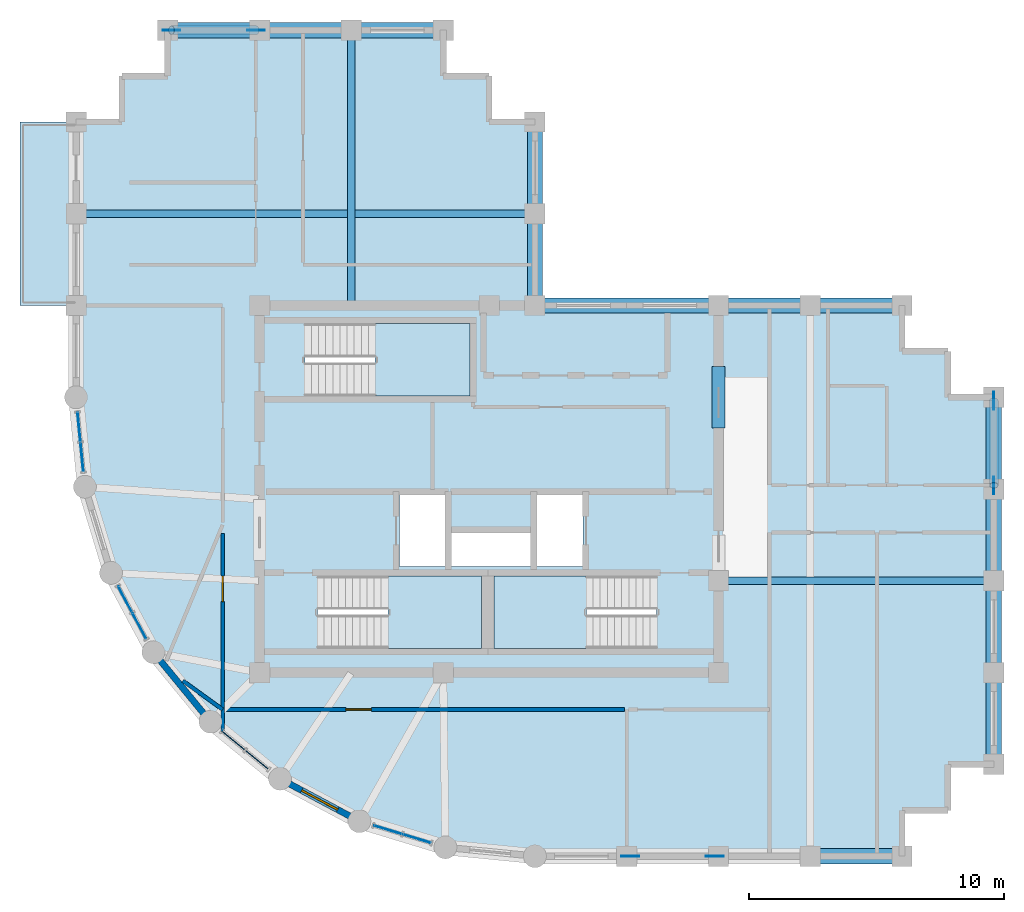
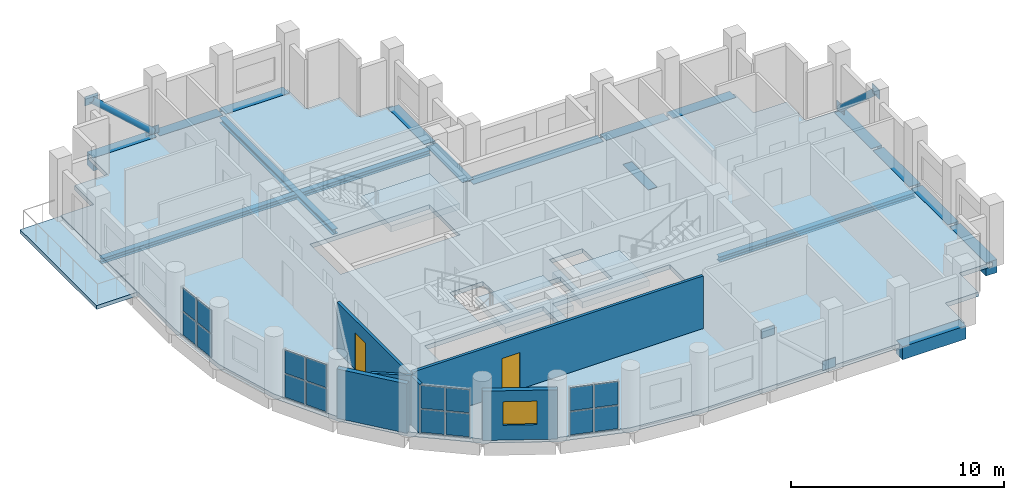
# One storey, part 7 of 11: 22 plates, 17 beams, 5 slabs, 5 walls, 2 doors, 2 members, 1 window, 3 openings, 7 elements without a shape of their own.
"""IFC4 building model written with IfcOpenShell, lengths in metres."""

from ifc_helpers import new_model, si_unit, direction, frame, frame_2d, origin, origin_2d, place, context, subcontext, project, spatial, polyline, rectangle, hollow_circle, i_section, outline, extrude, material, layer, layer_set, material_profile, profile_set, type_object, element, fill, aggregate, save


model = new_model("IFC4")

# Units and contexts
model_context = context("Model", 3, precision=1e-05, world=origin(), true_north=direction((0.0, 1.0)))
body_context = subcontext(model_context, "Body", "Model", "MODEL_VIEW")
ifc_project = project(units=[si_unit("LENGTHUNIT", "METRE"), si_unit("AREAUNIT", "SQUARE_METRE"), si_unit("VOLUMEUNIT", "CUBIC_METRE"), si_unit("PLANEANGLEUNIT", "RADIAN"), si_unit("MASSUNIT", "GRAM", prefix="KILO")], contexts=[model_context])

# Site, building, storey
site_placement = place(None, origin())
site = spatial("IfcSite", under=ifc_project, at=site_placement, CompositionType="ELEMENT")
building_placement = place(site_placement, origin())
building = spatial("IfcBuilding", under=site, at=building_placement, Name="Solnavia Interchange Tower", CompositionType="ELEMENT")
storey_placement = place(building_placement, frame((0.0, 0.0, 263.0)))
storey = spatial("IfcBuildingStorey", under=building, at=storey_placement, Name="L66", CompositionType="ELEMENT", Elevation=263.0)

# Beams
ifc_material_1 = material(Name="Concrete C50/60", Category="concrete")
ifc_material_profile_1 = material_profile(ifc_material_1, rectangle(XDim=0.5, YDim=0.800048828125, at=origin_2d()), Name="RC 500x800")
ifc_profile_set_1 = profile_set([ifc_material_profile_1], Name="Concrete C50/60")
beam_type_1 = type_object("IfcBeamType", Name="Beam-Coupling-RC500x800", PredefinedType="LINTEL", material=ifc_profile_set_1)
beam_1_placement = place(storey_placement, frame((32.39990234375, 20.39990234375, -0.39990234375), z_axis=(0.0, 1.0, 0.0), x_axis=(-1.0, 0.0, 0.0)))
element("IfcBeam", 1, at=beam_1_placement, inside=storey, type_object=beam_type_1, Name="CPB-L66-E2 Core coupling lintel beam", PredefinedType="LINTEL", context=body_context, shape_type="SweptSolid", body=[
    extrude(rectangle(XDim=0.5, YDim=0.800048828125, at=origin_2d()), origin(), (0.0, 0.0, 1.0), 2.400146484375),
])
ifc_material_2 = material(Name="Steel S460", Category="steel")
ifc_material_profile_2 = material_profile(ifc_material_2, i_section(OverallWidth=0.300048828125, OverallDepth=0.300048828125, WebThickness=0.010986328125, FlangeThickness=0.01904296875, FilletRadius=0.027099609375, at=origin_2d()), Name="HEB 300")
ifc_profile_set_2 = profile_set([ifc_material_profile_2], Name="Steel S460")
beam_type_2 = type_object("IfcBeamType", Name="Beam-Girder-HEB300", PredefinedType="BEAM", material=ifc_profile_set_2)
beam_2_placement = place(storey_placement, frame((32.47998046875, 14.39990234375, -0.39990234375), z_axis=(1.0, 0.0, 0.0), x_axis=(0.0, 1.0, 0.0)))
element("IfcBeam", 2, at=beam_2_placement, inside=storey, type_object=beam_type_2, Name="GRD-L66-ES01 East wing spine girder", PredefinedType="BEAM", context=body_context, shape_type="SweptSolid", body=[
    extrude(i_section(OverallWidth=0.300048828125, OverallDepth=0.300048828125, WebThickness=0.010986328125, FlangeThickness=0.01904296875, FilletRadius=0.027099609375, at=origin_2d()), origin(), (0.0, 0.0, 1.0), 10.64013671875),
])
beam_3_placement = place(storey_placement, frame((18.0, 25.280029296875, -0.39990234375), z_axis=(0.0, 1.0, 0.0), x_axis=(-1.0, 0.0, 0.0)))
element("IfcBeam", 3, at=beam_3_placement, inside=storey, type_object=beam_type_2, Name="GRD-L66-NS03 North wing spine girder", PredefinedType="BEAM", context=body_context, shape_type="SweptSolid", body=[
    extrude(i_section(OverallWidth=0.300048828125, OverallDepth=0.300048828125, WebThickness=0.010986328125, FlangeThickness=0.01904296875, FilletRadius=0.027099609375, at=origin_2d()), origin(), (0.0, 0.0, 1.0), 10.639892578125),
])
beam_4_placement = place(storey_placement, frame((7.280029296875, 28.800048828125, -0.39990234375), z_axis=(1.0, 0.0, 0.0), x_axis=(0.0, 1.0, 0.0)))
element("IfcBeam", 4, at=beam_4_placement, inside=storey, type_object=beam_type_2, Name="GRD-L66-NW04 North wing primary floor girder", PredefinedType="BEAM", context=body_context, shape_type="SweptSolid", body=[
    extrude(i_section(OverallWidth=0.300048828125, OverallDepth=0.300048828125, WebThickness=0.010986328125, FlangeThickness=0.01904296875, FilletRadius=0.027099609375, at=origin_2d()), origin(), (0.0, 0.0, 1.0), 17.840087890625),
])
ifc_material_profile_3 = material_profile(ifc_material_1, rectangle(XDim=0.60009765625, YDim=0.75, at=origin_2d()), Name="RC 600x750")
ifc_profile_set_3 = profile_set([ifc_material_profile_3], Name="Concrete C50/60")
beam_type_3 = type_object("IfcBeamType", Name="Beam-Spandrel-RC600x750", PredefinedType="SPANDREL", material=ifc_profile_set_3)
for number, where, z_axis, x_axis, name in (
    (5, (36.080078125, 3.60009765625, -0.375), (1.0, 0.0, 0.0), (0.0, 1.0, 0.0), "SPB-L66-12 Framed-tube perimeter spandrel beam"),
    (6, (43.199951171875, 7.280029296875, -0.375), (0.0, 1.0, 0.0), (-1.0, 0.0, 0.0), "SPB-L66-13 Framed-tube perimeter spandrel beam"),
):
    element("IfcBeam", number, at=place(storey_placement, frame(where, z_axis=z_axis, x_axis=x_axis)), inside=storey, type_object=beam_type_3, Name=name, PredefinedType="SPANDREL", context=body_context, shape_type="SweptSolid", body=[
        extrude(rectangle(XDim=0.60009765625, YDim=0.75, at=origin_2d()), origin(), (0.0, 0.0, 1.0), 3.43994140625),
    ])
beam_5_placement = place(storey_placement, frame((43.199951171875, 10.8798828125, -0.375), z_axis=(0.0, 1.0, 0.0), x_axis=(-1.0, 0.0, 0.0)))
element("IfcBeam", 7, at=beam_5_placement, inside=storey, type_object=beam_type_3, Name="SPB-L66-14 Framed-tube perimeter spandrel beam", PredefinedType="SPANDREL", context=body_context, shape_type="SweptSolid", body=[
    extrude(rectangle(XDim=0.60009765625, YDim=0.75, at=origin_2d()), origin(), (0.0, 0.0, 1.0), 3.440185546875),
])
for number, where, z_axis, x_axis, name in (
    (8, (43.199951171875, 14.47998046875, -0.375), (0.0, 1.0, 0.0), (-1.0, 0.0, 0.0), "SPB-L66-15 Framed-tube perimeter spandrel beam"),
    (9, (43.199951171875, 18.080078125, -0.375), (0.0, 1.0, 0.0), (-1.0, 0.0, 0.0), "SPB-L66-16 Framed-tube perimeter spandrel beam"),
    (10, (39.52001953125, 25.199951171875, -0.375), (-1.0, 0.0, 0.0), (0.0, -1.0, 0.0), "SPB-L66-17 Framed-tube perimeter spandrel beam"),
    (11, (35.919921875, 25.199951171875, -0.375), (-1.0, 0.0, 0.0), (0.0, -1.0, 0.0), "SPB-L66-18 Framed-tube perimeter spandrel beam"),
):
    element("IfcBeam", number, at=place(storey_placement, frame(where, z_axis=z_axis, x_axis=x_axis)), inside=storey, type_object=beam_type_3, Name=name, PredefinedType="SPANDREL", context=body_context, shape_type="SweptSolid", body=[
        extrude(rectangle(XDim=0.60009765625, YDim=0.75, at=origin_2d()), origin(), (0.0, 0.0, 1.0), 3.43994140625),
    ])
beam_6_placement = place(storey_placement, frame((32.320068359375, 25.199951171875, -0.375), z_axis=(-1.0, 0.0, 0.0), x_axis=(0.0, -1.0, 0.0)))
element("IfcBeam", 12, at=beam_6_placement, inside=storey, type_object=beam_type_3, Name="SPB-L66-19 Framed-tube perimeter spandrel beam", PredefinedType="SPANDREL", context=body_context, shape_type="SweptSolid", body=[
    extrude(rectangle(XDim=0.60009765625, YDim=0.75, at=origin_2d()), origin(), (0.0, 0.0, 1.0), 7.0400390625),
])
beam_7_placement = place(storey_placement, frame((25.199951171875, 25.280029296875, -0.375), z_axis=(0.0, 1.0, 0.0), x_axis=(-1.0, 0.0, 0.0)))
element("IfcBeam", 13, at=beam_7_placement, inside=storey, type_object=beam_type_3, Name="SPB-L66-20 Framed-tube perimeter spandrel beam", PredefinedType="SPANDREL", context=body_context, shape_type="SweptSolid", body=[
    extrude(rectangle(XDim=0.60009765625, YDim=0.75, at=origin_2d()), origin(), (0.0, 0.0, 1.0), 3.43994140625),
])
beam_8_placement = place(storey_placement, frame((25.199951171875, 28.8798828125, -0.375), z_axis=(0.0, 1.0, 0.0), x_axis=(-1.0, 0.0, 0.0)))
element("IfcBeam", 14, at=beam_8_placement, inside=storey, type_object=beam_type_3, Name="SPB-L66-21 Framed-tube perimeter spandrel beam", PredefinedType="SPANDREL", context=body_context, shape_type="SweptSolid", body=[
    extrude(rectangle(XDim=0.60009765625, YDim=0.75, at=origin_2d()), origin(), (0.0, 0.0, 1.0), 3.440185546875),
])
for number, where, z_axis, x_axis, name in (
    (15, (21.52001953125, 36.0, -0.375), (-1.0, 0.0, 0.0), (0.0, -1.0, 0.0), "SPB-L66-22 Framed-tube perimeter spandrel beam"),
    (16, (17.919921875, 36.0, -0.375), (-1.0, 0.0, 0.0), (0.0, -1.0, 0.0), "SPB-L66-23 Framed-tube perimeter spandrel beam"),
):
    element("IfcBeam", number, at=place(storey_placement, frame(where, z_axis=z_axis, x_axis=x_axis)), inside=storey, type_object=beam_type_3, Name=name, PredefinedType="SPANDREL", context=body_context, shape_type="SweptSolid", body=[
        extrude(rectangle(XDim=0.60009765625, YDim=0.75, at=origin_2d()), origin(), (0.0, 0.0, 1.0), 3.43994140625),
    ])
beam_9_placement = place(storey_placement, frame((14.320068359375, 36.0, -0.375), z_axis=(-1.0, 0.0, 0.0), x_axis=(0.0, -1.0, 0.0)))
element("IfcBeam", 17, at=beam_9_placement, inside=storey, type_object=beam_type_3, Name="SPB-L66-24 Framed-tube perimeter spandrel beam", PredefinedType="SPANDREL", context=body_context, shape_type="SweptSolid", body=[
    extrude(rectangle(XDim=0.60009765625, YDim=0.75, at=origin_2d()), origin(), (0.0, 0.0, 1.0), 3.440185546875),
])

# Members
ifc_material_profile_4 = material_profile(ifc_material_2, hollow_circle(Radius=0.177734375, WallThickness=0.01611328125, at=origin_2d()), Name="CHS 355.6x16")
ifc_profile_set_4 = profile_set([ifc_material_profile_4], Name="Steel S460")
member_type = type_object("IfcMemberType", Name="Brace-Perim-CHS355", PredefinedType="BRACE", material=ifc_profile_set_4)
for number, where, z_axis, x_axis, name in (
    (18, (43.199951171875, 21.4599609375, 0.179931640625), (0.0, -0.74307946371, 0.669203190827), (1.0, 0.0, 0.0), "BRC-L66-02 Perimeter tube diagonal brace"),
    (19, (14.260009765625, 36.0, 0.179931640625), (-0.74307946371, 0.0, 0.669203190827), (0.0, -1.0, 0.0), "BRC-L66-03 Perimeter tube diagonal brace"),
):
    element("IfcMember", number, at=place(storey_placement, frame(where, z_axis=z_axis, x_axis=x_axis)), inside=storey, type_object=member_type, Name=name, PredefinedType="BRACE", context=body_context, shape_type="SweptSolid", body=[
        extrude(hollow_circle(Radius=0.177734375, WallThickness=0.01611328125, at=origin_2d()), origin(), (0.0, 0.0, 1.0), 4.468017578125),
    ])

# Curtain wall, plates
ifc_material_3 = material(Name="Aluminium Alloy 6063-T6", Category="aluminium")
ifc_layer_1 = layer(ifc_material_3, 0.239990234375)
ifc_layer_set_1 = layer_set([ifc_layer_1], Name="Aluminium Alloy 6063-T6")
curtain_wall_type = type_object("IfcCurtainWallType", Name="CurtainWall-Drum-CTW2", PredefinedType="NOTDEFINED", material=ifc_layer_set_1)
curtain_wall_1_placement = place(storey_placement, origin())
curtain_wall_1 = element("IfcCurtainWall", 20, at=curtain_wall_1_placement, inside=storey, type_object=curtain_wall_type, Name="CTW-L66-D37 CTW-2 curtain wall", PredefinedType="NOTDEFINED")
ifc_material_4 = material(Name="Double-Glazed Low-E IGU Glass", Category="glass")
ifc_layer_2 = layer(ifc_material_4, 0.031982421875)
ifc_layer_set_2 = layer_set([ifc_layer_2], Name="Double-Glazed Low-E IGU Glass")
plate_type_1 = type_object("IfcPlateType", Name="CW-Panel-Solar-32", PredefinedType="CURTAIN_PANEL", material=ifc_layer_set_2)
plate_1_placement = place(storey_placement, frame((7.314697265625, 20.435791015625, 0.06494140625), z_axis=(0.0, 0.0, 1.0), x_axis=(0.098043088306, -0.995182170678, 0.0)))
plate_1 = element("IfcPlate", 21, at=plate_1_placement, type_object=plate_type_1, Name="CTW-2 panel 1.1", PredefinedType="CURTAIN_PANEL", context=body_context, shape_type="SweptSolid", body=[
    extrude(rectangle(XDim=1.114501953125, YDim=0.031982421875, at=origin_2d()), origin(), (0.0, 0.0, 1.0), 1.3173828125),
])
plate_2_placement = place(storey_placement, frame((7.314697265625, 20.435791015625, 1.447509765625), z_axis=(0.0, 0.0, 1.0), x_axis=(0.098043088306, -0.995182170678, 0.0)))
plate_2 = element("IfcPlate", 22, at=plate_2_placement, type_object=plate_type_1, Name="CTW-2 panel 1.2", PredefinedType="CURTAIN_PANEL", context=body_context, shape_type="SweptSolid", body=[
    extrude(rectangle(XDim=1.114501953125, YDim=0.031982421875, at=origin_2d()), origin(), (0.0, 0.0, 1.0), 1.3173828125),
])
plate_3_placement = place(storey_placement, frame((7.431396484375, 19.252197265625, 0.06494140625), z_axis=(0.0, 0.0, 1.0), x_axis=(0.098043088306, -0.995182170678, 0.0)))
plate_3 = element("IfcPlate", 23, at=plate_3_placement, type_object=plate_type_1, Name="CTW-2 panel 2.1", PredefinedType="CURTAIN_PANEL", context=body_context, shape_type="SweptSolid", body=[
    extrude(rectangle(XDim=1.114501953125, YDim=0.031982421875, at=origin_2d()), origin(), (0.0, 0.0, 1.0), 1.3173828125),
])
plate_4_placement = place(storey_placement, frame((7.431396484375, 19.252197265625, 1.447509765625), z_axis=(0.0, 0.0, 1.0), x_axis=(0.098043088306, -0.995182170678, 0.0)))
plate_4 = element("IfcPlate", 24, at=plate_4_placement, type_object=plate_type_1, Name="CTW-2 panel 2.2", PredefinedType="CURTAIN_PANEL", context=body_context, shape_type="SweptSolid", body=[
    extrude(rectangle(XDim=1.114501953125, YDim=0.031982421875, at=origin_2d()), origin(), (0.0, 0.0, 1.0), 1.3173828125),
])
aggregate(curtain_wall_1, [plate_1, plate_2, plate_3, plate_4])

curtain_wall_2_placement = place(storey_placement, origin())
curtain_wall_2 = element("IfcCurtainWall", 25, at=curtain_wall_2_placement, inside=storey, type_object=curtain_wall_type, Name="CTW-L66-D39 CTW-2 curtain wall", PredefinedType="NOTDEFINED")
plate_5_placement = place(storey_placement, frame((9.12158203125, 13.680419921875, 0.06494140625), z_axis=(0.0, 0.0, 1.0), x_axis=(0.471560876964, -0.881833509976, 0.0)))
plate_5 = element("IfcPlate", 26, at=plate_5_placement, type_object=plate_type_1, Name="CTW-2 panel 1.1", PredefinedType="CURTAIN_PANEL", context=body_context, shape_type="SweptSolid", body=[
    extrude(rectangle(XDim=1.114501953125, YDim=0.031982421875, at=origin_2d()), origin(), (0.0, 0.0, 1.0), 1.3173828125),
])
plate_6_placement = place(storey_placement, frame((9.12158203125, 13.680419921875, 1.447509765625), z_axis=(0.0, 0.0, 1.0), x_axis=(0.471560876964, -0.881833509976, 0.0)))
plate_6 = element("IfcPlate", 27, at=plate_6_placement, type_object=plate_type_1, Name="CTW-2 panel 1.2", PredefinedType="CURTAIN_PANEL", context=body_context, shape_type="SweptSolid", body=[
    extrude(rectangle(XDim=1.114501953125, YDim=0.031982421875, at=origin_2d()), origin(), (0.0, 0.0, 1.0), 1.3173828125),
])
plate_7_placement = place(storey_placement, frame((9.682373046875, 12.631591796875, 0.06494140625), z_axis=(0.0, 0.0, 1.0), x_axis=(0.471560876964, -0.881833509976, 0.0)))
plate_7 = element("IfcPlate", 28, at=plate_7_placement, type_object=plate_type_1, Name="CTW-2 panel 2.1", PredefinedType="CURTAIN_PANEL", context=body_context, shape_type="SweptSolid", body=[
    extrude(rectangle(XDim=1.114501953125, YDim=0.031982421875, at=origin_2d()), origin(), (0.0, 0.0, 1.0), 1.3173828125),
])
plate_8_placement = place(storey_placement, frame((9.682373046875, 12.631591796875, 1.447509765625), z_axis=(0.0, 0.0, 1.0), x_axis=(0.471560876964, -0.881833509976, 0.0)))
plate_8 = element("IfcPlate", 29, at=plate_8_placement, type_object=plate_type_1, Name="CTW-2 panel 2.2", PredefinedType="CURTAIN_PANEL", context=body_context, shape_type="SweptSolid", body=[
    extrude(rectangle(XDim=1.114501953125, YDim=0.031982421875, at=origin_2d()), origin(), (0.0, 0.0, 1.0), 1.3173828125),
])
aggregate(curtain_wall_2, [plate_5, plate_6, plate_7, plate_8])

curtain_wall_3_placement = place(storey_placement, origin())
curtain_wall_3 = element("IfcCurtainWall", 30, at=curtain_wall_3_placement, inside=storey, type_object=curtain_wall_type, Name="CTW-L66-D41 CTW-2 curtain wall", PredefinedType="NOTDEFINED")
plate_9_placement = place(storey_placement, frame((13.376220703125, 8.130126953125, 0.06494140625), z_axis=(0.0, 0.0, 1.0), x_axis=(0.773103093557, -0.634280384951, 0.0)))
plate_9 = element("IfcPlate", 31, at=plate_9_placement, type_object=plate_type_1, Name="CTW-2 panel 1.1", PredefinedType="CURTAIN_PANEL", context=body_context, shape_type="SweptSolid", body=[
    extrude(rectangle(XDim=1.1142578125, YDim=0.031982421875, at=origin_2d()), origin(), (0.0, 0.0, 1.0), 1.3173828125),
])
plate_10_placement = place(storey_placement, frame((13.376220703125, 8.130126953125, 1.447509765625), z_axis=(0.0, 0.0, 1.0), x_axis=(0.773103093557, -0.634280384951, 0.0)))
plate_10 = element("IfcPlate", 32, at=plate_10_placement, type_object=plate_type_1, Name="CTW-2 panel 1.2", PredefinedType="CURTAIN_PANEL", context=body_context, shape_type="SweptSolid", body=[
    extrude(rectangle(XDim=1.1142578125, YDim=0.031982421875, at=origin_2d()), origin(), (0.0, 0.0, 1.0), 1.3173828125),
])
plate_11_placement = place(storey_placement, frame((14.295654296875, 7.375732421875, 0.06494140625), z_axis=(0.0, 0.0, 1.0), x_axis=(0.773103093557, -0.634280384951, 0.0)))
plate_11 = element("IfcPlate", 33, at=plate_11_placement, type_object=plate_type_1, Name="CTW-2 panel 2.1", PredefinedType="CURTAIN_PANEL", context=body_context, shape_type="SweptSolid", body=[
    extrude(rectangle(XDim=1.1142578125, YDim=0.031982421875, at=origin_2d()), origin(), (0.0, 0.0, 1.0), 1.3173828125),
])
plate_12_placement = place(storey_placement, frame((14.295654296875, 7.375732421875, 1.447509765625), z_axis=(0.0, 0.0, 1.0), x_axis=(0.773103093557, -0.634280384951, 0.0)))
plate_12 = element("IfcPlate", 34, at=plate_12_placement, type_object=plate_type_1, Name="CTW-2 panel 2.2", PredefinedType="CURTAIN_PANEL", context=body_context, shape_type="SweptSolid", body=[
    extrude(rectangle(XDim=1.1142578125, YDim=0.031982421875, at=origin_2d()), origin(), (0.0, 0.0, 1.0), 1.3173828125),
])
aggregate(curtain_wall_3, [plate_9, plate_10, plate_11, plate_12])

curtain_wall_4_placement = place(storey_placement, origin())
curtain_wall_4 = element("IfcCurtainWall", 35, at=curtain_wall_4_placement, inside=storey, type_object=curtain_wall_type, Name="CTW-L66-D43 CTW-2 curtain wall", PredefinedType="NOTDEFINED")
plate_13_placement = place(storey_placement, frame((19.43115234375, 4.630615234375, 0.06494140625), z_axis=(0.0, 0.0, 1.0), x_axis=(0.956942072515, -0.290278951786, 0.0)))
plate_13 = element("IfcPlate", 36, at=plate_13_placement, type_object=plate_type_1, Name="CTW-2 panel 1.1", PredefinedType="CURTAIN_PANEL", context=body_context, shape_type="SweptSolid", body=[
    extrude(rectangle(XDim=1.114013671875, YDim=0.031982421875, at=origin_2d()), origin(), (0.0, 0.0, 1.0), 1.3173828125),
])
plate_14_placement = place(storey_placement, frame((19.43115234375, 4.630615234375, 1.447509765625), z_axis=(0.0, 0.0, 1.0), x_axis=(0.956942072515, -0.290278951786, 0.0)))
plate_14 = element("IfcPlate", 37, at=plate_14_placement, type_object=plate_type_1, Name="CTW-2 panel 1.2", PredefinedType="CURTAIN_PANEL", context=body_context, shape_type="SweptSolid", body=[
    extrude(rectangle(XDim=1.114013671875, YDim=0.031982421875, at=origin_2d()), origin(), (0.0, 0.0, 1.0), 1.3173828125),
])
plate_15_placement = place(storey_placement, frame((20.56884765625, 4.285400390625, 0.06494140625), z_axis=(0.0, 0.0, 1.0), x_axis=(0.956942072515, -0.290278951786, 0.0)))
plate_15 = element("IfcPlate", 38, at=plate_15_placement, type_object=plate_type_1, Name="CTW-2 panel 2.1", PredefinedType="CURTAIN_PANEL", context=body_context, shape_type="SweptSolid", body=[
    extrude(rectangle(XDim=1.114013671875, YDim=0.031982421875, at=origin_2d()), origin(), (0.0, 0.0, 1.0), 1.3173828125),
])
plate_16_placement = place(storey_placement, frame((20.56884765625, 4.285400390625, 1.447509765625), z_axis=(0.0, 0.0, 1.0), x_axis=(0.956942072515, -0.290278951786, 0.0)))
plate_16 = element("IfcPlate", 39, at=plate_16_placement, type_object=plate_type_1, Name="CTW-2 panel 2.2", PredefinedType="CURTAIN_PANEL", context=body_context, shape_type="SweptSolid", body=[
    extrude(rectangle(XDim=1.114013671875, YDim=0.031982421875, at=origin_2d()), origin(), (0.0, 0.0, 1.0), 1.3173828125),
])
aggregate(curtain_wall_4, [plate_13, plate_14, plate_15, plate_16])

# Plates
ifc_layer_3 = layer(ifc_material_2, 0.030029296875)
ifc_layer_set_3 = layer_set([ifc_layer_3], Name="Steel S460")
plate_type_2 = type_object("IfcPlateType", Name="Plate-Gusset-700x520x30", PredefinedType="USERDEFINED", material=ifc_layer_set_3)
for number, where, z_axis, x_axis, name in (
    (40, (32.260009765625, 3.60009765625, -0.080078125), (0.0, 0.0, 1.0), (-1.0, 0.0, 0.0), "PLT-L66-GP01 Perimeter brace gusset plate"),
    (41, (28.93994140625, 3.60009765625, 2.909912109375), (0.0, 0.0, 1.0), (-1.0, 0.0, 0.0), "PLT-L66-GP02 Perimeter brace gusset plate"),
    (42, (43.199951171875, 21.4599609375, -0.080078125), (0.0, 0.0, 1.0), (0.0, -1.0, 0.0), "PLT-L66-GP03 Perimeter brace gusset plate"),
    (43, (43.199951171875, 18.139892578125, 2.909912109375), (0.0, 0.0, 1.0), (0.0, -1.0, 0.0), "PLT-L66-GP04 Perimeter brace gusset plate"),
    (44, (14.260009765625, 36.0, -0.080078125), (0.0, 0.0, 1.0), (-1.0, 0.0, 0.0), "PLT-L66-GP05 Perimeter brace gusset plate"),
    (45, (10.93994140625, 36.0, 2.909912109375), (0.0, 0.0, 1.0), (-1.0, 0.0, 0.0), "PLT-L66-GP06 Perimeter brace gusset plate"),
):
    element("IfcPlate", number, at=place(storey_placement, frame(where, z_axis=z_axis, x_axis=x_axis)), inside=storey, type_object=plate_type_2, Name=name, ObjectType="GUSSET PLATE", PredefinedType="USERDEFINED", context=body_context, shape_type="SweptSolid", body=[
        extrude(rectangle(XDim=0.699951171875, YDim=0.030029296875, at=origin_2d()), origin(), (0.0, 0.0, 1.0), 0.52001953125),
    ])

# Stair, slab
ifc_material_5 = material(Name="Concrete C40/50", Category="concrete")
stair_type = type_object("IfcStairType", Name="Stair-Dogleg-RC", PredefinedType="HALF_TURN_STAIR", material=ifc_material_5)
stair_1_placement = place(storey_placement, origin())
stair_1 = element("IfcStair", 46, at=stair_1_placement, inside=storey, type_object=stair_type, Name="L66 Core exit stair 1", PredefinedType="HALF_TURN_STAIR")
ifc_layer_4 = layer(ifc_material_5, 0.35009765625)
ifc_layer_set_4 = layer_set([ifc_layer_4], Name="Concrete C40/50")
slab_type_1 = type_object("IfcSlabType", Name="Slab-StairLanding-350", PredefinedType="LANDING", material=ifc_layer_set_4)
slab_1_placement = place(storey_placement, frame((0.0, 0.0, 1.449951171875)))
slab_1 = element("IfcSlab", 47, at=slab_1_placement, type_object=slab_type_1, Name="ST-1 landing 1", PredefinedType="LANDING", context=body_context, shape_type="SweptSolid", body=[
    extrude(outline(polyline([(19.427978515625, 11.75), (23.10009765625, 11.75), (23.10009765625, 14.590087890625), (19.427978515625, 14.590087890625), (19.427978515625, 11.75)])), origin(), (0.0, 0.0, 1.0), 0.35009765625),
])
aggregate(stair_1, [slab_1])

stair_2_placement = place(storey_placement, origin())
stair_2 = element("IfcStair", 48, at=stair_2_placement, inside=storey, type_object=stair_type, Name="L66 Core exit stair 2", PredefinedType="HALF_TURN_STAIR")
slab_2_placement = place(storey_placement, frame((0.0, 0.0, 1.449951171875)))
slab_2 = element("IfcSlab", 49, at=slab_2_placement, type_object=slab_type_1, Name="ST-2 landing 1", PredefinedType="LANDING", context=body_context, shape_type="SweptSolid", body=[
    extrude(outline(polyline([(23.60009765625, 11.75), (27.221923828125, 11.75), (27.221923828125, 14.590087890625), (23.60009765625, 14.590087890625), (23.60009765625, 11.75)])), origin(), (0.0, 0.0, 1.0), 0.35009765625),
])
aggregate(stair_2, [slab_2])

stair_3_placement = place(storey_placement, origin())
stair_3 = element("IfcStair", 50, at=stair_3_placement, inside=storey, type_object=stair_type, Name="L66 Core exit stair 3", PredefinedType="HALF_TURN_STAIR")
slab_3_placement = place(storey_placement, frame((0.0, 0.0, 1.449951171875)))
slab_3 = element("IfcSlab", 51, at=slab_3_placement, type_object=slab_type_1, Name="ST-3 landing 1", PredefinedType="LANDING", context=body_context, shape_type="SweptSolid", body=[
    extrude(outline(polyline([(18.927978515625, 21.64990234375), (22.64990234375, 21.64990234375), (22.64990234375, 24.489990234375), (18.927978515625, 24.489990234375), (18.927978515625, 21.64990234375)])), origin(), (0.0, 0.0, 1.0), 0.35009765625),
])
aggregate(stair_3, [slab_3])

# Slabs
ifc_layer_5 = layer(ifc_material_5, 0.219970703125)
ifc_layer_set_5 = layer_set([ifc_layer_5], Name="Concrete C40/50")
slab_type_2 = type_object("IfcSlabType", Name="Slab-Terrace-220", PredefinedType="FLOOR", material=ifc_layer_set_5)
slab_4_placement = place(storey_placement, frame((0.0, 0.0, -0.260009765625)))
element("IfcSlab", 52, at=slab_4_placement, inside=storey, type_object=slab_type_2, Name="TER-L66-01 Outdoor spiral terrace slab", PredefinedType="FLOOR", context=body_context, shape_type="SweptSolid", body=[
    extrude(outline(polyline([(5.0, 25.199951171875), (7.199951171875, 25.199951171875), (7.199951171875, 32.39990234375), (5.0, 32.39990234375), (5.0, 25.199951171875)])), origin(), (0.0, 0.0, 1.0), 0.219970703125),
])
ifc_layer_6 = layer(ifc_material_5, 0.25)
ifc_layer_set_6 = layer_set([ifc_layer_6], Name="Concrete C40/50")
slab_type_3 = type_object("IfcSlabType", Name="Slab-Tower-250", PredefinedType="FLOOR", material=ifc_layer_set_6)
slab_5_placement = place(storey_placement, frame((0.0, 0.0, -0.25)))
element("IfcSlab", 53, at=slab_5_placement, inside=storey, type_object=slab_type_3, Name="SLB-L66-01 Structural floor slab", PredefinedType="FLOOR", context=body_context, shape_type="SweptSolid", body=[
    extrude(outline(polyline([(25.199951171875, 3.60009765625), (39.60009765625, 3.60009765625), (39.60009765625, 5.39990234375), (41.39990234375, 5.39990234375), (41.39990234375, 7.199951171875), (43.199951171875, 7.199951171875), (43.199951171875, 21.60009765625), (41.39990234375, 21.60009765625), (41.39990234375, 23.39990234375), (39.60009765625, 23.39990234375), (39.60009765625, 25.199951171875), (25.199951171875, 25.199951171875), (25.199951171875, 32.39990234375), (23.39990234375, 32.39990234375), (23.39990234375, 34.199951171875), (21.60009765625, 34.199951171875), (21.60009765625, 36.0), (10.800048828125, 36.0), (10.800048828125, 34.199951171875), (9.0, 34.199951171875), (9.0, 32.39990234375), (7.199951171875, 32.39990234375), (7.199951171875, 21.60009765625), (7.5458984375, 18.087890625), (8.570068359375, 14.7119140625), (10.23388671875, 11.60009765625), (12.471923828125, 8.8720703125), (15.199951171875, 6.634033203125), (18.31201171875, 4.969970703125), (21.68798828125, 3.946044921875), (25.199951171875, 3.60009765625)]), holes=[polyline([(16.675048828125, 11.75), (23.10009765625, 11.75), (23.10009765625, 14.590087890625), (16.675048828125, 14.590087890625), (16.675048828125, 11.75)]), polyline([(23.60009765625, 11.75), (29.97509765625, 11.75), (29.97509765625, 14.590087890625), (23.60009765625, 14.590087890625), (23.60009765625, 11.75)]), polyline([(16.175048828125, 21.64990234375), (22.64990234375, 21.64990234375), (22.64990234375, 24.489990234375), (16.175048828125, 24.489990234375), (16.175048828125, 21.64990234375)]), polyline([(19.8798828125, 14.9599609375), (21.679931640625, 14.9599609375), (21.679931640625, 17.780029296875), (19.8798828125, 17.780029296875), (19.8798828125, 14.9599609375)]), polyline([(25.280029296875, 14.9599609375), (27.080078125, 14.9599609375), (27.080078125, 17.780029296875), (25.280029296875, 17.780029296875), (25.280029296875, 14.9599609375)]), polyline([(21.919921875, 14.9599609375), (25.02001953125, 14.9599609375), (25.02001953125, 16.280029296875), (21.919921875, 16.280029296875), (21.919921875, 14.9599609375)])]), origin(), (0.0, 0.0, 1.0), 0.25),
])

# Wall
ifc_layer_7 = layer(ifc_material_5, 0.25)
ifc_layer_set_7 = layer_set([ifc_layer_7], Name="Concrete C40/50")
wall_type_1 = type_object("IfcWallType", Name="Wall-ExtSpandrel-250", PredefinedType="STANDARD", material=ifc_layer_set_7)
wall_1_placement = place(storey_placement, frame((12.471923828125, 8.8720703125, 0.0), z_axis=(0.0, 0.0, 1.0), x_axis=(-0.634258295121, 0.773121216285, 0.0)))
element("IfcWall", 54, at=wall_1_placement, inside=storey, type_object=wall_type_1, Name="EXW-L66-40 Exterior precast spandrel wall", PredefinedType="STANDARD", context=body_context, shape_type="SweptSolid", body=[
    extrude(rectangle(XDim=3.528564453125, YDim=0.25, at=frame_2d((1.76416015625, 0.0))), origin(), (0.0, 0.0, 1.0), 2.830078125),
])

# Wall, opening, window
wall_2_placement = place(storey_placement, frame((18.31201171875, 4.969970703125, 0.0), z_axis=(0.0, 0.0, 1.0), x_axis=(-0.881846862014, 0.471535907389, 0.0)))
wall_2 = element("IfcWall", 55, at=wall_2_placement, inside=storey, type_object=wall_type_1, Name="EXW-L66-42 Exterior precast spandrel wall", PredefinedType="STANDARD", context=body_context, shape_type="SweptSolid", body=[
    extrude(rectangle(XDim=3.529052734375, YDim=0.25, at=frame_2d((1.7646484375, 0.0))), origin(), (0.0, 0.0, 1.0), 2.830078125),
])
opening_1_placement = place(wall_2_placement, frame((0.964111328125, 0.0, 0.85009765625)))
opening_1 = element("IfcOpeningElement", 56, at=opening_1_placement, cuts=wall_2, Name="Opening WIN-04", PredefinedType="OPENING", context=body_context, shape_type="SweptSolid", body=[
    extrude(rectangle(XDim=1.60009765625, YDim=1.35009765625, at=frame_2d((0.800048828125, 0.675048828125))), frame((0.0, 0.135009765625, 0.0), z_axis=(0.0, -1.0, 0.0), x_axis=(1.0, 0.0, 0.0)), (0.0, 0.0, 1.0), 0.27001953125),
])
ifc_material_6 = material(Name="Thermal-Break Aluminium & Low-E Glass", Category="aluminium")
window_type = type_object("IfcWindowType", Name="Window-Drum-1600x1350", PartitioningType="SINGLE_PANEL", PredefinedType="WINDOW", material=ifc_material_6)
window_placement = place(opening_1_placement, origin())
window = element("IfcWindow", 57, at=window_placement, inside=storey, type_object=window_type, Name="WIN-L66-42 Facade ribbon window", OverallHeight=1.35009765625, OverallWidth=1.60009765625, PartitioningType="SINGLE_PANEL", PredefinedType="WINDOW", context=body_context, shape_type="SweptSolid", body=[
    extrude(rectangle(XDim=1.60009765625, YDim=1.35009765625, at=frame_2d((0.800048828125, 0.675048828125))), frame((0.0, 0.030029296875, 0.0), z_axis=(0.0, -1.0, 0.0), x_axis=(1.0, 0.0, 0.0)), (0.0, 0.0, 1.0), 0.06005859375),
])
fill(opening_1, window)

# Wall
ifc_material_7 = material(Name="Gypsum Plasterboard & Steel Stud", Category="steel")
ifc_layer_8 = layer(ifc_material_7, 0.14990234375)
ifc_layer_set_8 = layer_set([ifc_layer_8], Name="Gypsum Plasterboard & Steel Stud")
wall_type_2 = type_object("IfcWallType", Name="Wall-Partition-150", PredefinedType="PARTITIONING", material=ifc_layer_set_8)
wall_3_placement = place(storey_placement, frame((12.949951171875, 9.35009765625, 0.0), z_axis=(0.0, 0.0, 1.0), x_axis=(-0.8106792284, 0.585490553844, 0.0)))
element("IfcWall", 58, at=wall_3_placement, inside=storey, type_object=wall_type_2, Name="PTW-L66-09 Interior partition wall", PredefinedType="PARTITIONING", context=body_context, shape_type="SweptSolid", body=[
    extrude(rectangle(XDim=1.9296875, YDim=0.14990234375, at=frame_2d((0.96484375, 0.0))), origin(), (0.0, 0.0, 1.0), 2.830078125),
])

# Wall, opening, door
wall_4_placement = place(storey_placement, frame((12.949951171875, 8.47998046875, 0.0), z_axis=(0.0, 0.0, 1.0), x_axis=(0.0, 1.0, 0.0)))
wall_4 = element("IfcWall", 59, at=wall_4_placement, inside=storey, type_object=wall_type_2, Name="PTW-L66-12 Interior partition wall", PredefinedType="PARTITIONING", context=body_context, shape_type="SweptSolid", body=[
    extrude(rectangle(XDim=7.780517578125, YDim=0.14990234375, at=frame_2d((3.89013671875, 0.0))), origin(), (0.0, 0.0, 1.0), 2.830078125),
])
opening_2_placement = place(wall_4_placement, frame((5.10107421875, 0.0, 0.0)))
opening_2 = element("IfcOpeningElement", 60, at=opening_2_placement, cuts=wall_4, Name="Opening DR-07", PredefinedType="OPENING", context=body_context, shape_type="SweptSolid", body=[
    extrude(rectangle(XDim=1.0, YDim=2.10009765625, at=frame_2d((0.5, 1.050048828125))), frame((0.0, 0.0849609375, 0.0), z_axis=(0.0, -1.0, 0.0), x_axis=(1.0, 0.0, 0.0)), (0.0, 0.0, 1.0), 0.169921875),
])
ifc_material_8 = material(Name="Timber & Acoustic Glazed Office Door", Category="wood")
door_type = type_object("IfcDoorType", Name="Door-Office-1000x2100", OperationType="SINGLE_SWING_RIGHT", PredefinedType="DOOR", material=ifc_material_8)
door_1_placement = place(opening_2_placement, origin())
door_1 = element("IfcDoor", 61, at=door_1_placement, inside=storey, type_object=door_type, Name="DR-L66-04 Interior room door", OperationType="SINGLE_SWING_RIGHT", OverallHeight=2.10009765625, OverallWidth=1.0, PredefinedType="DOOR", context=body_context, shape_type="SweptSolid", body=[
    extrude(rectangle(XDim=1.0, YDim=2.10009765625, at=frame_2d((0.5, 1.050048828125))), frame((0.0, 0.02490234375, 0.0), z_axis=(0.0, -1.0, 0.0), x_axis=(1.0, 0.0, 0.0)), (0.0, 0.0, 1.0), 0.050048828125),
])
fill(opening_2, door_1)

wall_5_placement = place(storey_placement, frame((12.949951171875, 9.35009765625, 0.0), z_axis=(0.0, 0.0, 1.0), x_axis=(1.0, 0.0, 0.0)))
wall_5 = element("IfcWall", 62, at=wall_5_placement, inside=storey, type_object=wall_type_2, Name="PTW-L66-13 Interior partition wall", PredefinedType="PARTITIONING", context=body_context, shape_type="SweptSolid", body=[
    extrude(rectangle(XDim=15.77099609375, YDim=0.14990234375, at=frame_2d((7.885498046875, 0.0))), origin(), (0.0, 0.0, 1.0), 3.02001953125),
])
opening_3_placement = place(wall_5_placement, frame((4.8359375, 0.0, 0.0)))
opening_3 = element("IfcOpeningElement", 63, at=opening_3_placement, cuts=wall_5, Name="Opening DR-07", PredefinedType="OPENING", context=body_context, shape_type="SweptSolid", body=[
    extrude(rectangle(XDim=1.0, YDim=2.10009765625, at=frame_2d((0.5, 1.050048828125))), frame((0.0, 0.0849609375, 0.0), z_axis=(0.0, -1.0, 0.0), x_axis=(1.0, 0.0, 0.0)), (0.0, 0.0, 1.0), 0.169921875),
])
door_2_placement = place(opening_3_placement, origin())
door_2 = element("IfcDoor", 64, at=door_2_placement, inside=storey, type_object=door_type, Name="DR-L66-05 Interior room door", OperationType="SINGLE_SWING_LEFT", OverallHeight=2.10009765625, OverallWidth=1.0, PredefinedType="DOOR", context=body_context, shape_type="SweptSolid", body=[
    extrude(rectangle(XDim=1.0, YDim=2.10009765625, at=frame_2d((0.5, 1.050048828125))), frame((0.0, 0.02490234375, 0.0), z_axis=(0.0, -1.0, 0.0), x_axis=(1.0, 0.0, 0.0)), (0.0, 0.0, 1.0), 0.050048828125),
])
fill(opening_3, door_2)

save(model, "model.ifc")
